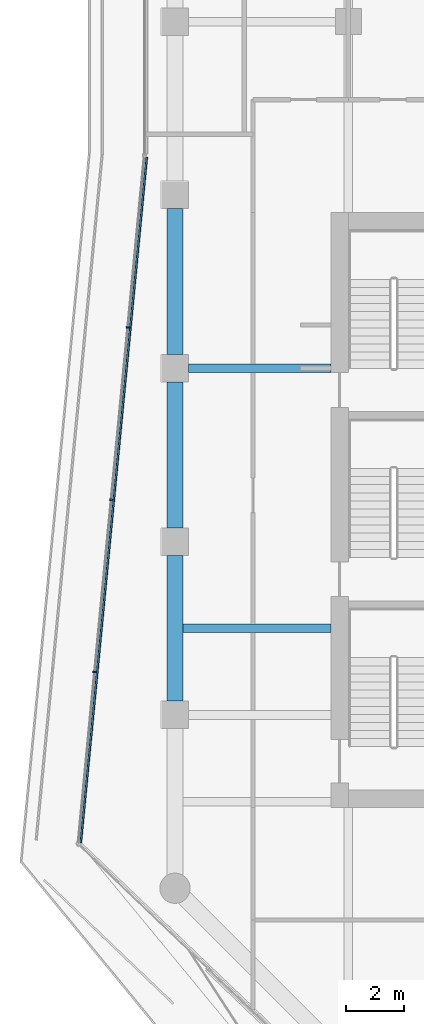
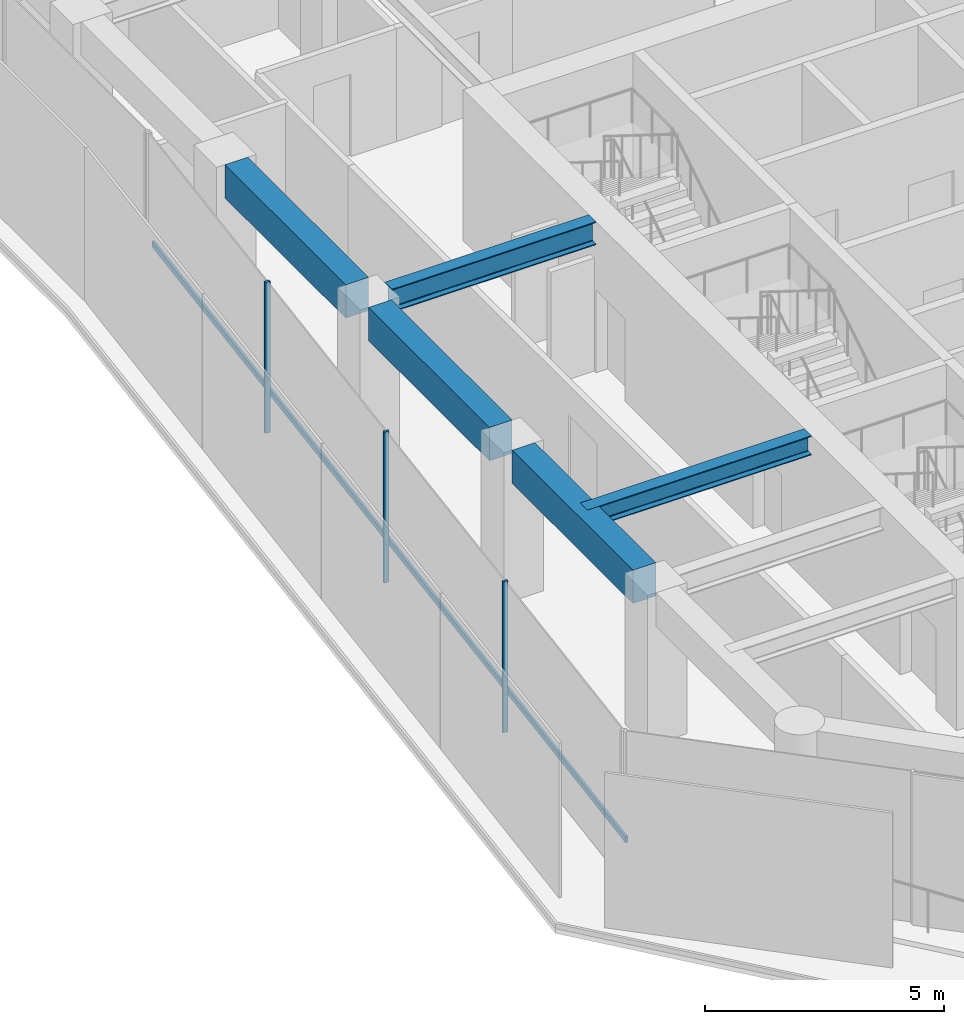
# One storey, part 4 of 23: 5 beams, 4 members, 1 element without a shape of its own.
"""IFC4 building model written with IfcOpenShell, lengths in metres."""

import ifcopenshell
import ifcopenshell.guid

model = None  # the IFC model being written
_history = None  # IfcOwnerHistory: only IFC2X3 demands one
_inside = {}  # id of a spatial element -> (the spatial element, [elements in it])
_under = {}  # id of a project, library or spatial element -> (it, [spatial elements below it])
_declared = {}  # id of a project -> (the project, [libraries it declares])
_typed = {}  # id of a type object -> (the type object, [elements of that type])
_made_of = {}  # id of a material, layer set ... -> (it, [elements and type objects made of it])


def new_model(schema):
    """Start an empty IFC model of exactly this schema.

    Asked for "IFC4X3", IfcOpenShell would pick the latest addendum, in which some entities
    have other attributes; the version numbers below select the first issue.
    IFC2X3 requires an IfcOwnerHistory on every rooted entity: one is made here for all.
    """
    global model, _history
    if schema == "IFC4X3":
        model = ifcopenshell.file(schema_version=(4, 3, 0, 0))
    else:
        model = ifcopenshell.file(schema=schema)
    _inside.clear()
    _under.clear()
    _declared.clear()
    _typed.clear()
    _made_of.clear()
    _history = None
    if model.schema == "IFC2X3":
        org = make("IfcOrganization", Name="unknown")
        user = make(
            "IfcPersonAndOrganization",
            ThePerson=make("IfcPerson", FamilyName="unknown"),
            TheOrganization=org,
        )
        app = make(
            "IfcApplication",
            ApplicationDeveloper=org,
            Version="unknown",
            ApplicationFullName="unknown",
            ApplicationIdentifier="unknown",
        )
        _history = make(
            "IfcOwnerHistory",
            OwningUser=user,
            OwningApplication=app,
            ChangeAction="ADDED",
            CreationDate=0,
        )
    return model


def make(cls, **values):
    """One entity of the class cls with the attributes given. An attribute that is None is left unset."""
    return model.create_entity(
        cls, **{name: value for name, value in values.items() if value is not None}
    )


def rooted(cls, **values):
    """An entity with a GlobalId (a new one), such as an element, a storey or a relation."""
    return make(cls, GlobalId=ifcopenshell.guid.new(), OwnerHistory=_history, **values)


def si_unit(unit_type, name, prefix=None):
    """IfcSIUnit, for example si_unit("LENGTHUNIT", "METRE", prefix="MILLI")."""
    return make("IfcSIUnit", UnitType=unit_type, Prefix=prefix, Name=name)


def assignment(units):
    """IfcUnitAssignment: the units of a project."""
    return None if units is None else make("IfcUnitAssignment", Units=units)


def point(xyz):
    """IfcCartesianPoint."""
    return None if xyz is None else make("IfcCartesianPoint", Coordinates=xyz)


def direction(xyz):
    """IfcDirection."""
    return None if xyz is None else make("IfcDirection", DirectionRatios=xyz)


def frame(location, z_axis=None, x_axis=None):
    """IfcAxis2Placement3D, a coordinate frame: its origin and axes. An axis left out is left unset."""
    return make(
        "IfcAxis2Placement3D",
        Location=point(location),
        Axis=direction(z_axis),
        RefDirection=direction(x_axis),
    )


def frame_2d(location, x_axis=None):
    """IfcAxis2Placement2D, a coordinate frame in the plane: its origin and x axis."""
    return make(
        "IfcAxis2Placement2D", Location=point(location), RefDirection=direction(x_axis)
    )


def origin():
    """The frame at (0, 0, 0) with its axes left unset."""
    return frame((0.0, 0.0, 0.0))


def origin_2d():
    """The frame at (0, 0) in the plane with its x axis left unset."""
    return frame_2d((0.0, 0.0))


def place(relative_to, where):
    """IfcLocalPlacement: puts the frame where relative to a parent placement (None: the world)."""
    return make(
        "IfcLocalPlacement", PlacementRelTo=relative_to, RelativePlacement=where
    )


def context(
    kind, dimensions, precision=None, world=None, true_north=None, identifier=None
):
    """IfcGeometricRepresentationContext, for example the 3D "Model" context."""
    return make(
        "IfcGeometricRepresentationContext",
        ContextIdentifier=identifier,
        ContextType=kind,
        CoordinateSpaceDimension=dimensions,
        Precision=precision,
        WorldCoordinateSystem=world,
        TrueNorth=true_north,
    )


def subcontext(parent, identifier, kind, view, scale=None):
    """IfcGeometricRepresentationSubContext, for example "Body" below "Model"."""
    return make(
        "IfcGeometricRepresentationSubContext",
        ContextIdentifier=identifier,
        ContextType=kind,
        ParentContext=parent,
        TargetScale=scale,
        TargetView=view,
    )


def project(units=None, contexts=None):
    """IfcProject with its units and contexts."""
    return rooted(
        "IfcProject",
        Name="project",
        RepresentationContexts=contexts,
        UnitsInContext=assignment(units),
    )


def spatial(cls, under=None, at=None, **own):
    """A site, building, storey or space (cls), placed at a placement, below another one or the project."""
    s = rooted(cls, ObjectPlacement=at, **own)
    if under is not None:
        _under.setdefault(under.id(), (under, []))[1].append(s)
    return s


def profile(cls, at=None, kind="AREA", **sizes):
    """A parametric profile (cls). Its sizes go by their IFC names, for example OverallWidth=200.0."""
    return make(cls, ProfileType=kind, Position=at, **sizes)


def rectangle(**sizes):
    """IfcRectangleProfileDef."""
    return profile("IfcRectangleProfileDef", **sizes)


def i_section(**sizes):
    """IfcIShapeProfileDef."""
    return profile("IfcIShapeProfileDef", **sizes)


def extrude(swept, where, along, depth):
    """IfcExtrudedAreaSolid: the profile swept, set in the frame where, extruded along a direction by depth."""
    return make(
        "IfcExtrudedAreaSolid",
        SweptArea=swept,
        Position=where,
        ExtrudedDirection=direction(along),
        Depth=depth,
    )


def shape(context_of_items, identifier, shape_type, items):
    """IfcShapeRepresentation: the items that make up one representation, for example the "Body"."""
    return make(
        "IfcShapeRepresentation",
        ContextOfItems=context_of_items,
        RepresentationIdentifier=identifier,
        RepresentationType=shape_type,
        Items=items,
    )


def material(Name=None, Category=None):
    """IfcMaterial."""
    return make("IfcMaterial", Name=Name, Category=Category)


def layer(
    of_material, thickness, ventilated=None, Name=None, Category=None, Priority=None
):
    """IfcMaterialLayer: one layer of a wall or slab, of a material (None: an air gap)."""
    return make(
        "IfcMaterialLayer",
        Material=of_material,
        LayerThickness=thickness,
        IsVentilated=ventilated,
        Name=Name,
        Category=Category,
        Priority=Priority,
    )


def layer_set(layers, Name=None):
    """IfcMaterialLayerSet."""
    return make("IfcMaterialLayerSet", MaterialLayers=layers, LayerSetName=Name)


def material_profile(
    of_material, cross_section, Name=None, Category=None, Priority=None
):
    """IfcMaterialProfile: a cross section and its material."""
    return make(
        "IfcMaterialProfile",
        Name=Name,
        Material=of_material,
        Profile=cross_section,
        Priority=Priority,
        Category=Category,
    )


def profile_set(profiles, Name=None, composite=None):
    """IfcMaterialProfileSet."""
    return make(
        "IfcMaterialProfileSet",
        Name=Name,
        MaterialProfiles=profiles,
        CompositeProfile=composite,
    )


def made_of(thing, what):
    """Note that an element or type object is made of a material, layer set ...; save() writes the relation."""
    if what is not None:
        _made_of.setdefault(what.id(), (what, []))[1].append(thing)
    return thing


def type_object(cls, material=None, **own):
    """A type object (cls), such as IfcWallType, which elements share."""
    return made_of(rooted(cls, **own), material)


def element(
    cls,
    number,
    at=None,
    inside=None,
    cuts=None,
    type_object=None,
    material=None,
    context=None,
    identifier="Body",
    shape_type=None,
    held_by="IfcProductDefinitionShape",
    body=None,
    shapes=None,
    **own,
):
    """One element of the class cls, such as IfcWall. Its Tag is "e" and its number.

    at: its placement. inside: the storey or other place that contains it. cuts: it is an
    opening in that element (IfcRelVoidsElement). A single representation is given by context,
    identifier, shape_type and body (its items); several are given by shapes. held_by: the class
    of the entity that holds the representations. save() writes the other relations.
    """
    e = rooted(cls, Tag="e%d" % number, ObjectPlacement=at, **own)
    if body is not None:
        shapes = [shape(context, identifier, shape_type, body)]
    if shapes is not None:
        e.Representation = make(held_by, Representations=shapes)
    if inside is not None:
        _inside.setdefault(inside.id(), (inside, []))[1].append(e)
    if cuts is not None:
        rooted(
            "IfcRelVoidsElement", RelatingBuildingElement=cuts, RelatedOpeningElement=e
        )
    if type_object is not None:
        _typed.setdefault(type_object.id(), (type_object, []))[1].append(e)
    return made_of(e, material)


def aggregate(whole, parts):
    """IfcRelAggregates: a whole, such as a stair, and the parts it consists of."""
    return rooted("IfcRelAggregates", RelatingObject=whole, RelatedObjects=parts)


def save(model, path):
    """Write the relations noted so far, then the file.

    IfcRelAggregates (storeys below a building ...), IfcRelContainedInSpatialStructure (elements
    in a storey), IfcRelDefinesByType, IfcRelAssociatesMaterial and IfcRelDeclares: one each for
    every whole, place, type object, material and project.
    """
    for whole, parts in _under.values():
        aggregate(whole, parts)
    for where, things in _inside.values():
        rooted(
            "IfcRelContainedInSpatialStructure",
            RelatedElements=things,
            RelatingStructure=where,
        )
    for kind, things in _typed.values():
        rooted("IfcRelDefinesByType", RelatedObjects=things, RelatingType=kind)
    for what, things in _made_of.values():
        rooted("IfcRelAssociatesMaterial", RelatedObjects=things, RelatingMaterial=what)
    for by, libraries in _declared.values():
        rooted("IfcRelDeclares", RelatingContext=by, RelatedDefinitions=libraries)
    model.write(path)


model = new_model("IFC4")

# Units and contexts
model_context = context("Model", 3, precision=1e-05, world=origin(), true_north=direction((0.0, 1.0)))
body_context = subcontext(model_context, "Body", "Model", "MODEL_VIEW")
ifc_project = project(units=[si_unit("LENGTHUNIT", "METRE"), si_unit("AREAUNIT", "SQUARE_METRE"), si_unit("VOLUMEUNIT", "CUBIC_METRE"), si_unit("PLANEANGLEUNIT", "RADIAN"), si_unit("MASSUNIT", "GRAM", prefix="KILO")], contexts=[model_context])

# Site, building, storey
site_placement = place(None, origin())
site = spatial("IfcSite", under=ifc_project, at=site_placement, CompositionType="ELEMENT")
building_placement = place(site_placement, origin())
building = spatial("IfcBuilding", under=site, at=building_placement, Name="Welwitschia Terrace Campus", CompositionType="ELEMENT")
storey_placement = place(building_placement, frame((0.0, 0.0, 146.60009765625)))
storey = spatial("IfcBuildingStorey", under=building, at=storey_placement, Name="L32", CompositionType="ELEMENT", Elevation=146.60009765625)

# Beam
ifc_material_1 = material(Name="Steel S355", Category="steel")
ifc_material_profile_1 = material_profile(ifc_material_1, i_section(OverallWidth=0.300048828125, OverallDepth=0.489990234375, WebThickness=0.011962890625, FlangeThickness=0.02294921875, FilletRadius=0.027099609375, at=origin_2d()))
ifc_profile_set_1 = profile_set([ifc_material_profile_1], Name="Steel S355")
beam_type_1 = type_object("IfcBeamType", Name="Interior girder HE 500 A", PredefinedType="BEAM", material=ifc_profile_set_1)
beam_1_placement = place(storey_placement, frame((-0.010009765625, 11.0, 3.60498046875), z_axis=(1.0, 0.0, 0.0), x_axis=(0.0, 1.0, 0.0)))
element("IfcBeam", 1, at=beam_1_placement, inside=storey, type_object=beam_type_1, Name="Girder GB4", PredefinedType="BEAM", context=body_context, shape_type="SweptSolid", body=[
    extrude(i_section(OverallWidth=0.300048828125, OverallDepth=0.489990234375, WebThickness=0.011962890625, FlangeThickness=0.02294921875, FilletRadius=0.027099609375, at=origin_2d()), origin(), (0.0, 0.0, 1.0), 5.408935546875),
])

# Curtain wall, members
ifc_material_2 = material(Name="Bronze anodised aluminium", Category="aluminium")
ifc_layer = layer(ifc_material_2, 0.1201171875)
ifc_layer_set = layer_set([ifc_layer], Name="Bronze anodised aluminium")
curtain_wall_type = type_object("IfcCurtainWallType", Name="Curtain wall CW2 tower 6000", PredefinedType="NOTDEFINED", material=ifc_layer_set)
curtain_wall_placement = place(storey_placement, origin())
curtain_wall = element("IfcCurtainWall", 2, at=curtain_wall_placement, inside=storey, type_object=curtain_wall_type, Name="CW L32.1.0", PredefinedType="NOTDEFINED")
ifc_material_3 = material(Name="Bronze anodised aluminium", Category="aluminium")
ifc_material_profile_2 = material_profile(ifc_material_3, rectangle(XDim=0.1201171875, YDim=0.06005859375, at=origin_2d()))
ifc_profile_set_2 = profile_set([ifc_material_profile_2], Name="Bronze anodised aluminium")
member_type_1 = type_object("IfcMemberType", Name="Mullion 60x120", PredefinedType="MULLION", material=ifc_profile_set_2)
member_1_placement = place(storey_placement, frame((-1.632080078125, 21.412109375, 0.0), z_axis=(0.0, 0.0, 1.0), x_axis=(0.995396198367, -0.09584575252, 0.0)))
member_1 = element("IfcMember", 3, at=member_1_placement, type_object=member_type_1, Name="Mullion L32.1.0.1", PredefinedType="MULLION", context=body_context, shape_type="SweptSolid", body=[
    extrude(rectangle(XDim=0.1201171875, YDim=0.06005859375, at=origin_2d()), origin(), (0.0, 0.0, 1.0), 3.849853515625),
])
member_2_placement = place(storey_placement, frame((-2.206298828125, 15.44921875, 0.0), z_axis=(0.0, 0.0, 1.0), x_axis=(0.995396198367, -0.09584575252, 0.0)))
member_2 = element("IfcMember", 4, at=member_2_placement, type_object=member_type_1, Name="Mullion L32.1.0.2", PredefinedType="MULLION", context=body_context, shape_type="SweptSolid", body=[
    extrude(rectangle(XDim=0.1201171875, YDim=0.06005859375, at=origin_2d()), origin(), (0.0, 0.0, 1.0), 3.849853515625),
])
member_3_placement = place(storey_placement, frame((-2.780517578125, 9.486328125, 0.0), z_axis=(0.0, 0.0, 1.0), x_axis=(0.995396198367, -0.09584575252, 0.0)))
member_3 = element("IfcMember", 5, at=member_3_placement, type_object=member_type_1, Name="Mullion L32.1.0.3", PredefinedType="MULLION", context=body_context, shape_type="SweptSolid", body=[
    extrude(rectangle(XDim=0.1201171875, YDim=0.06005859375, at=origin_2d()), origin(), (0.0, 0.0, 1.0), 3.849853515625),
])

# Beams
ifc_material_4 = material(Name="Steel S355", Category="steel")
ifc_material_profile_3 = material_profile(ifc_material_4, i_section(OverallWidth=0.300048828125, OverallDepth=0.590087890625, WebThickness=0.012939453125, FlangeThickness=0.02490234375, FilletRadius=0.027099609375, at=origin_2d()))
ifc_profile_set_3 = profile_set([ifc_material_profile_3], Name="Steel S355")
beam_type_2 = type_object("IfcBeamType", Name="Primary beam HE 600 A", PredefinedType="BEAM", material=ifc_profile_set_3)
beam_2_placement = place(storey_placement, frame((0.4755859375, 20.0, 3.554931640625), z_axis=(1.0, 0.0, 0.0), x_axis=(0.0, 1.0, 0.0)))
element("IfcBeam", 6, at=beam_2_placement, inside=storey, type_object=beam_type_2, Name="Primary beam PB4", PredefinedType="BEAM", context=body_context, shape_type="SweptSolid", body=[
    extrude(i_section(OverallWidth=0.300048828125, OverallDepth=0.590087890625, WebThickness=0.012939453125, FlangeThickness=0.02490234375, FilletRadius=0.027099609375, at=origin_2d()), origin(), (0.0, 0.0, 1.0), 4.92431640625),
])
ifc_material_5 = material(Name="Concrete C50/60", Category="concrete")
ifc_material_profile_4 = material_profile(ifc_material_5, rectangle(XDim=0.550048828125, YDim=0.85009765625, at=origin_2d()))
ifc_profile_set_4 = profile_set([ifc_material_profile_4], Name="Concrete C50/60")
beam_type_3 = type_object("IfcBeamType", Name="Ring spandrel 550x850", PredefinedType="SPANDREL", material=ifc_profile_set_4)
for number, where, z_axis, x_axis, name in (
    (7, (0.0, 25.5244140625, 3.4248046875), (0.0, -1.0, 0.0), (1.0, 0.0, 0.0), "Spandrel SP3"),
    (8, (0.0, 19.5244140625, 3.4248046875), (0.0, -1.0, 0.0), (1.0, 0.0, 0.0), "Spandrel SP3"),
    (9, (0.0, 13.5244140625, 3.4248046875), (0.0, -1.0, 0.0), (1.0, 0.0, 0.0), "Spandrel SP3"),
):
    element("IfcBeam", number, at=place(storey_placement, frame(where, z_axis=z_axis, x_axis=x_axis)), inside=storey, type_object=beam_type_3, Name=name, PredefinedType="SPANDREL", context=body_context, shape_type="SweptSolid", body=[
        extrude(rectangle(XDim=0.550048828125, YDim=0.85009765625, at=origin_2d()), origin(), (0.0, 0.0, 1.0), 5.048828125),
    ])

# Member
ifc_material_6 = material(Name="Bronze anodised aluminium", Category="aluminium")
ifc_material_profile_5 = material_profile(ifc_material_6, rectangle(XDim=0.06005859375, YDim=0.14990234375, at=origin_2d()))
ifc_profile_set_5 = profile_set([ifc_material_profile_5], Name="Bronze anodised aluminium")
member_type_2 = type_object("IfcMemberType", Name="Transom 60x150", PredefinedType="USERDEFINED", material=ifc_profile_set_5)
member_4_placement = place(storey_placement, frame((-0.97412109375, 27.306640625, 1.0), z_axis=(-0.095847038839, -0.995396074508, 0.0), x_axis=(0.995396074508, -0.095847038839, 0.0)))
member_4 = element("IfcMember", 10, at=member_4_placement, type_object=member_type_2, Name="Transom L32.1.0", ObjectType="TRANSOM", PredefinedType="USERDEFINED", context=body_context, shape_type="SweptSolid", body=[
    extrude(rectangle(XDim=0.06005859375, YDim=0.14990234375, at=origin_2d()), origin(), (0.0, 0.0, 1.0), 23.841796875),
])

aggregate(curtain_wall, [member_1, member_2, member_3, member_4])

save(model, "model.ifc")
